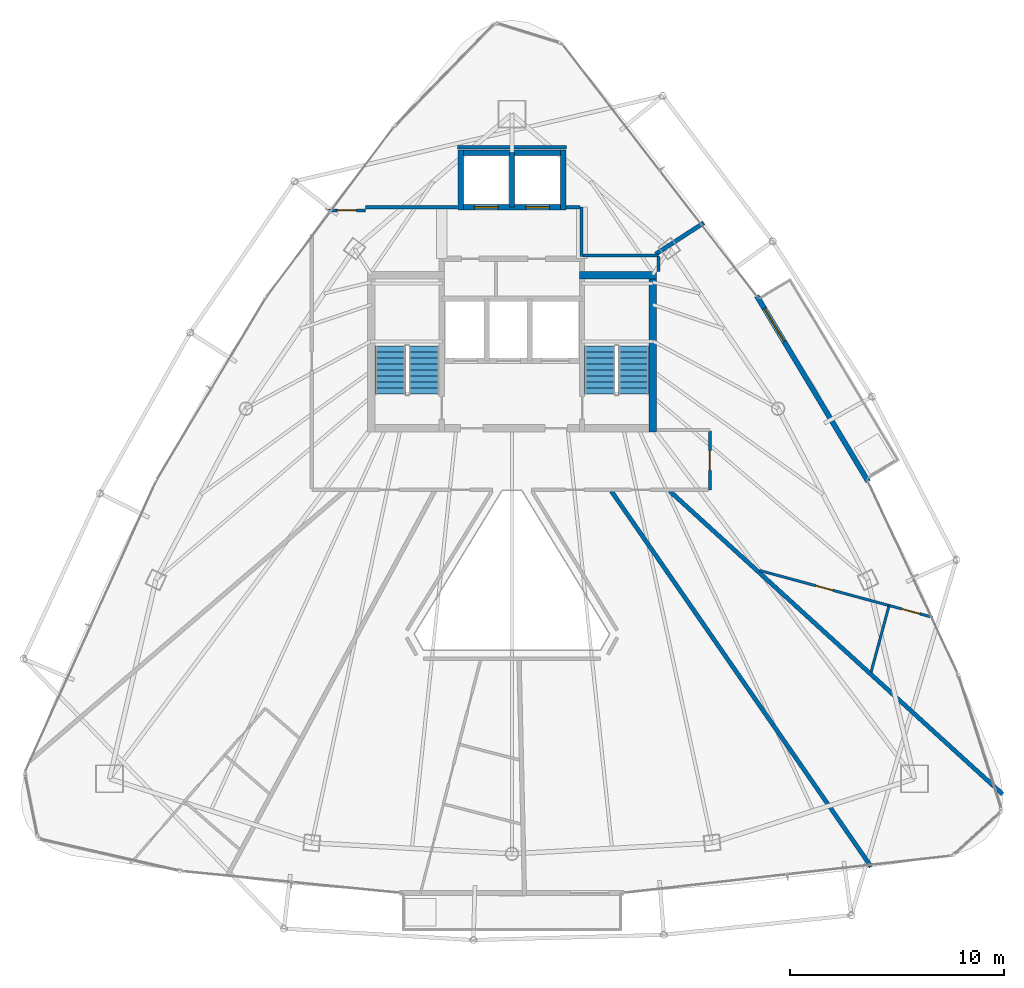
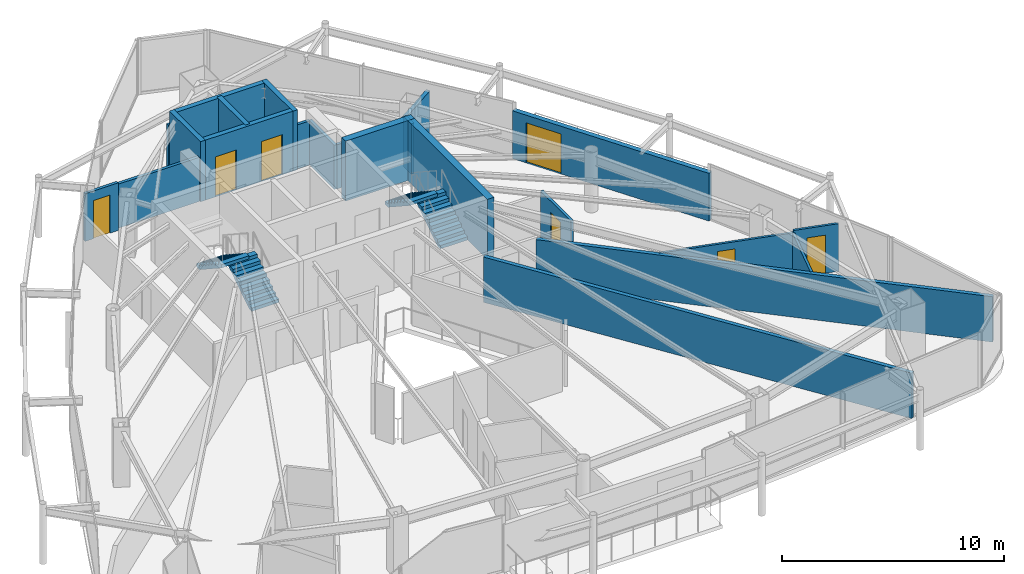
# One storey, part 27 of 30: 22 walls, 7 doors, 4 stair flights, 7 openings, 2 elements without a shape of their own.
"""IFC4 building model written with IfcOpenShell, lengths in metres."""

from ifc_helpers import new_model, si_unit, direction, frame, frame_2d, origin, place, context, subcontext, project, spatial, polyline, rectangle, outline, extrude, material, layer, layer_set, type_object, element, fill, aggregate, save


model = new_model("IFC4")

# Units and contexts
model_context = context("Model", 3, precision=1e-05, world=origin(), true_north=direction((0.0, 1.0)))
body_context = subcontext(model_context, "Body", "Model", "MODEL_VIEW")
ifc_project = project(units=[si_unit("LENGTHUNIT", "METRE"), si_unit("AREAUNIT", "SQUARE_METRE"), si_unit("VOLUMEUNIT", "CUBIC_METRE"), si_unit("PLANEANGLEUNIT", "RADIAN"), si_unit("MASSUNIT", "GRAM", prefix="KILO")], contexts=[model_context])

# Site, building, storey
site_placement = place(None, origin())
site = spatial("IfcSite", under=ifc_project, at=site_placement, CompositionType="ELEMENT")
building_placement = place(site_placement, origin())
building = spatial("IfcBuilding", under=site, at=building_placement, Name="Orvanel Arch Residences", CompositionType="ELEMENT")
storey_placement = place(building_placement, frame((0.0, 0.0, 229.39990234375)))
storey = spatial("IfcBuildingStorey", under=building, at=storey_placement, Name="L65", CompositionType="ELEMENT", Elevation=229.39990234375)

# Wall, opening, door
ifc_material_1 = material(Name="Precast concrete N50 (50 MPa)", Category="concrete")
ifc_layer_1 = layer(ifc_material_1, 0.239990234375)
ifc_layer_set_1 = layer_set([ifc_layer_1], Name="Precast concrete N50 (50 MPa)")
wall_type_1 = type_object("IfcWallType", Name="EW-BAL-240", PredefinedType="SOLIDWALL", material=ifc_layer_set_1)
wall_1_placement = place(storey_placement, frame((49.64794921875, 24.22412109375, 0.0), z_axis=(0.0, 0.0, 1.0), x_axis=(-0.514346935205, 0.857582200285, 0.0)))
wall_1 = element("IfcWall", 1, at=wall_1_placement, inside=storey, type_object=wall_type_1, Name="L65 Balcony Threshold Wall Face 3", PredefinedType="SOLIDWALL", context=body_context, shape_type="SweptSolid", body=[
    extrude(rectangle(XDim=10.133056640625, YDim=0.239990234375, at=frame_2d((5.06640625, 0.0))), origin(), (0.0, 0.0, 1.0), 2.6240234375),
])
opening_1_placement = place(wall_1_placement, frame((7.635009765625, 0.0, 0.0)))
opening_1 = element("IfcOpeningElement", 2, at=opening_1_placement, cuts=wall_1, Name="Opening DB-180", PredefinedType="OPENING", context=body_context, shape_type="SweptSolid", body=[
    extrude(rectangle(XDim=1.800048828125, YDim=2.199951171875, at=frame_2d((0.89990234375, 1.10009765625))), frame((0.0, 0.1298828125, 0.0), z_axis=(0.0, -1.0, 0.0), x_axis=(1.0, 0.0, 0.0)), (0.0, 0.0, 1.0), 0.260009765625),
])
ifc_material_2 = material(Name="Bronze-anodised aluminium AA6063-T6", Category="aluminium")
door_type_1 = type_object("IfcDoorType", Name="DR-BAL-1800", OperationType="NOTDEFINED", PredefinedType="DOOR", material=ifc_material_2)
door_1_placement = place(opening_1_placement, origin())
door_1 = element("IfcDoor", 3, at=door_1_placement, inside=storey, type_object=door_type_1, Name="DR-L65-BAL-F3 L65 Planted Balcony Access Door Face 3", OperationType="SINGLE_SWING_LEFT", OverallHeight=2.199951171875, OverallWidth=1.800048828125, PredefinedType="DOOR", context=body_context, shape_type="SweptSolid", body=[
    extrude(rectangle(XDim=1.800048828125, YDim=2.199951171875, at=frame_2d((0.89990234375, 1.10009765625))), frame((0.0, 0.02490234375, 0.0), z_axis=(0.0, -1.0, 0.0), x_axis=(1.0, 0.0, 0.0)), (0.0, 0.0, 1.0), 0.050048828125),
])
fill(opening_1, door_1)

# Wall, openings, doors
ifc_material_3 = material(Name="Concrete N50 (50 MPa)", Category="concrete")
ifc_layer_2 = layer(ifc_material_3, 0.25)
ifc_layer_set_2 = layer_set([ifc_layer_2], Name="Concrete N50 (50 MPa)")
wall_type_2 = type_object("IfcWallType", Name="SW-CORE-250", PredefinedType="SHEAR", material=ifc_layer_set_2)
wall_2_placement = place(storey_placement, frame((35.52490234375, 37.050048828125, 0.0), z_axis=(0.0, 0.0, 1.0), x_axis=(-1.0, 0.0, 0.0)))
wall_2 = element("IfcWall", 4, at=wall_2_placement, inside=storey, type_object=wall_type_2, Name="L65 Passenger Lift Bank Front Shear Wall", PredefinedType="SHEAR", context=body_context, shape_type="SweptSolid", body=[
    extrude(rectangle(XDim=5.0498046875, YDim=0.25, at=frame_2d((2.52490234375, 0.0))), origin(), (0.0, 0.0, 1.0), 3.300048828125),
])
opening_2_placement = place(wall_2_placement, frame((3.175048828125, 0.0, 0.0)))
opening_2 = element("IfcOpeningElement", 5, at=opening_2_placement, cuts=wall_2, Name="Opening LD-110", PredefinedType="OPENING", context=body_context, shape_type="SweptSolid", body=[
    extrude(rectangle(XDim=1.10009765625, YDim=2.199951171875, at=frame_2d((0.550048828125, 1.10009765625))), frame((0.0, 0.135009765625, 0.0), z_axis=(0.0, -1.0, 0.0), x_axis=(1.0, 0.0, 0.0)), (0.0, 0.0, 1.0), 0.27001953125),
])
opening_3_placement = place(wall_2_placement, frame((0.77490234375, 0.0, 0.0)))
opening_3 = element("IfcOpeningElement", 6, at=opening_3_placement, cuts=wall_2, Name="Opening LD-110", PredefinedType="OPENING", context=body_context, shape_type="SweptSolid", body=[
    extrude(rectangle(XDim=1.10009765625, YDim=2.199951171875, at=frame_2d((0.550048828125, 1.10009765625))), frame((0.0, 0.135009765625, 0.0), z_axis=(0.0, -1.0, 0.0), x_axis=(1.0, 0.0, 0.0)), (0.0, 0.0, 1.0), 0.27001953125),
])
ifc_material_4 = material(Name="Galvanised steel fire-resisting door assembly", Category="steel")
door_type_2 = type_object("IfcDoorType", Name="DR-LFT-1100", OperationType="NOTDEFINED", PredefinedType="DOOR", material=ifc_material_4)
door_2_placement = place(opening_2_placement, origin())
door_2 = element("IfcDoor", 7, at=door_2_placement, inside=storey, type_object=door_type_2, Name="LD-P5-L65 L65 Passenger Lift P5 Sliding Landing Door", OperationType="DOUBLE_DOOR_SLIDING", OverallHeight=2.199951171875, OverallWidth=1.10009765625, PredefinedType="DOOR", context=body_context, shape_type="SweptSolid", body=[
    extrude(rectangle(XDim=1.10009765625, YDim=2.199951171875, at=frame_2d((0.550048828125, 1.10009765625))), frame((0.0, 0.02490234375, 0.0), z_axis=(0.0, -1.0, 0.0), x_axis=(1.0, 0.0, 0.0)), (0.0, 0.0, 1.0), 0.050048828125),
])
fill(opening_2, door_2)
door_3_placement = place(opening_3_placement, origin())
door_3 = element("IfcDoor", 8, at=door_3_placement, inside=storey, type_object=door_type_2, Name="LD-P6-L65 L65 Passenger Lift P6 Sliding Landing Door", OperationType="DOUBLE_DOOR_SLIDING", OverallHeight=2.199951171875, OverallWidth=1.10009765625, PredefinedType="DOOR", context=body_context, shape_type="SweptSolid", body=[
    extrude(rectangle(XDim=1.10009765625, YDim=2.199951171875, at=frame_2d((0.550048828125, 1.10009765625))), frame((0.0, 0.02490234375, 0.0), z_axis=(0.0, -1.0, 0.0), x_axis=(1.0, 0.0, 0.0)), (0.0, 0.0, 1.0), 0.050048828125),
])
fill(opening_3, door_3)

# Walls
wall_3_placement = place(storey_placement, frame((30.47509765625, 39.60009765625, 0.0), z_axis=(0.0, 0.0, 1.0), x_axis=(1.0, 0.0, 0.0)))
element("IfcWall", 9, at=wall_3_placement, inside=storey, type_object=wall_type_2, Name="L65 Passenger Lift Bank North Shear Wall", PredefinedType="SHEAR", context=body_context, shape_type="SweptSolid", body=[
    extrude(rectangle(XDim=5.0498046875, YDim=0.25, at=frame_2d((2.52490234375, 0.0))), origin(), (0.0, 0.0, 1.0), 3.300048828125),
])
for number, where, z_axis, x_axis, name in (
    (10, (30.60009765625, 36.925048828125, 0.0), (0.0, 0.0, 1.0), (0.0, 1.0, 0.0), "L65 Passenger Lift Bank West Shear Wall"),
    (11, (35.39990234375, 36.925048828125, 0.0), (0.0, 0.0, 1.0), (0.0, 1.0, 0.0), "L65 Passenger Lift Bank East Shear Wall"),
):
    element("IfcWall", number, at=place(storey_placement, frame(where, z_axis=z_axis, x_axis=x_axis)), inside=storey, type_object=wall_type_2, Name=name, PredefinedType="SHEAR", context=body_context, shape_type="SweptSolid", body=[
        extrude(rectangle(XDim=2.800048828125, YDim=0.25, at=frame_2d((1.39990234375, 0.0))), origin(), (0.0, 0.0, 1.0), 3.300048828125),
    ])
wall_4_placement = place(storey_placement, frame((33.0, 37.050048828125, 0.0), z_axis=(0.0, 0.0, 1.0), x_axis=(0.0, 1.0, 0.0)))
element("IfcWall", 12, at=wall_4_placement, inside=storey, type_object=wall_type_2, Name="L65 Passenger Lift Inter-Shaft Wall P56", PredefinedType="SHEAR", context=body_context, shape_type="SweptSolid", body=[
    extrude(rectangle(XDim=2.550048828125, YDim=0.25, at=frame_2d((1.27490234375, 0.0))), origin(), (0.0, 0.0, 1.0), 3.300048828125),
])
ifc_layer_3 = layer(ifc_material_3, 0.35009765625)
ifc_layer_set_3 = layer_set([ifc_layer_3], Name="Concrete N50 (50 MPa)")
wall_type_3 = type_object("IfcWallType", Name="SW-CORE-350", PredefinedType="SHEAR", material=ifc_layer_set_3)
wall_5_placement = place(storey_placement, frame((39.574951171875, 26.550048828125, 0.0), z_axis=(0.0, 0.0, 1.0), x_axis=(0.0, 1.0, 0.0)))
element("IfcWall", 13, at=wall_5_placement, inside=storey, type_object=wall_type_3, Name="L65 East Stair Shear Wall", PredefinedType="SHEAR", context=body_context, shape_type="SweptSolid", body=[
    extrude(rectangle(XDim=7.5, YDim=0.35009765625, at=frame_2d((3.75, 0.0))), origin(), (0.0, 0.0, 1.0), 3.300048828125),
])
wall_6_placement = place(storey_placement, frame((36.14990234375, 33.875, 0.0), z_axis=(0.0, 0.0, 1.0), x_axis=(1.0, 0.0, 0.0)))
element("IfcWall", 14, at=wall_6_placement, inside=storey, type_object=wall_type_3, Name="L65 East Stair North Shear Wall", PredefinedType="SHEAR", context=body_context, shape_type="SweptSolid", body=[
    extrude(rectangle(XDim=3.60009765625, YDim=0.35009765625, at=frame_2d((1.800048828125, 0.0))), origin(), (0.0, 0.0, 1.0), 3.300048828125),
])
ifc_material_5 = material(Name="Fire-rated plasterboard lined steel stud partition", Category="steel")
ifc_layer_4 = layer(ifc_material_5, 0.14990234375)
ifc_layer_set_4 = layer_set([ifc_layer_4], Name="Fire-rated plasterboard lined steel stud partition")
wall_type_4 = type_object("IfcWallType", Name="W-COR-150", PredefinedType="PARTITIONING", material=ifc_layer_set_4)
wall_7_placement = place(storey_placement, frame((36.25, 34.760009765625, 0.0), z_axis=(0.0, 0.0, 1.0), x_axis=(0.0, 1.0, 0.0)))
element("IfcWall", 15, at=wall_7_placement, inside=storey, type_object=wall_type_4, Name="L65 Passenger Lift Lobby East Closure Wall", PredefinedType="PARTITIONING", context=body_context, shape_type="SweptSolid", body=[
    extrude(rectangle(XDim=2.2900390625, YDim=0.14990234375, at=frame_2d((1.14501953125, 0.0))), origin(), (0.0, 0.0, 1.0), 2.425048828125),
])
wall_8_placement = place(storey_placement, frame((35.52490234375, 37.050048828125, 0.0), z_axis=(0.0, 0.0, 1.0), x_axis=(1.0, 0.0, 0.0)))
element("IfcWall", 16, at=wall_8_placement, inside=storey, type_object=wall_type_4, Name="L65 Passenger Lift Lobby North-East Wall", PredefinedType="PARTITIONING", context=body_context, shape_type="SweptSolid", body=[
    extrude(rectangle(XDim=0.6650390625, YDim=0.14990234375, at=frame_2d((0.33251953125, 0.0))), origin(), (0.0, 0.0, 1.0), 2.425048828125),
])

# Wall, opening, door
wall_9_placement = place(storey_placement, frame((24.427001953125, 36.89990234375, 0.0), z_axis=(0.0, 0.0, 1.0), x_axis=(1.0, 0.0, 0.0)))
wall_9 = element("IfcWall", 17, at=wall_9_placement, inside=storey, type_object=wall_type_4, Name="L65 Corridor Fire-Rated Partition", PredefinedType="PARTITIONING", context=body_context, shape_type="SweptSolid", body=[
    extrude(rectangle(XDim=1.722900390625, YDim=0.14990234375, at=frame_2d((0.861328125, 0.0))), origin(), (0.0, 0.0, 1.0), 2.619140625),
])
opening_4_placement = place(wall_9_placement, frame((0.4208984375, 0.0, 0.0)))
opening_4 = element("IfcOpeningElement", 18, at=opening_4_placement, cuts=wall_9, Name="Opening DI-088", PredefinedType="OPENING", context=body_context, shape_type="SweptSolid", body=[
    extrude(rectangle(XDim=0.8798828125, YDim=2.10009765625, at=frame_2d((0.43994140625, 1.050048828125))), frame((0.0, 0.0849609375, 0.0), z_axis=(0.0, -1.0, 0.0), x_axis=(1.0, 0.0, 0.0)), (0.0, 0.0, 1.0), 0.169921875),
])
ifc_material_6 = material(Name="Solid-core European oak veneer fire door leaf", Category="wood")
door_type_3 = type_object("IfcDoorType", Name="DR-INT-880", OperationType="NOTDEFINED", PredefinedType="DOOR", material=ifc_material_6)
door_4_placement = place(opening_4_placement, origin())
door_4 = element("IfcDoor", 19, at=door_4_placement, inside=storey, type_object=door_type_3, Name="DR-L65-SHRD-FB7 L65 Co-Working Study Office G Door", OperationType="SINGLE_SWING_LEFT", OverallHeight=2.10009765625, OverallWidth=0.8798828125, PredefinedType="DOOR", context=body_context, shape_type="SweptSolid", body=[
    extrude(rectangle(XDim=0.8798828125, YDim=2.10009765625, at=frame_2d((0.43994140625, 1.050048828125))), frame((0.0, 0.02490234375, 0.0), z_axis=(0.0, -1.0, 0.0), x_axis=(1.0, 0.0, 0.0)), (0.0, 0.0, 1.0), 0.050048828125),
])
fill(opening_4, door_4)

wall_10_placement = place(storey_placement, frame((42.25, 26.590087890625, 0.0), z_axis=(0.0, 0.0, 1.0), x_axis=(0.0, -1.0, 0.0)))
wall_10 = element("IfcWall", 20, at=wall_10_placement, inside=storey, type_object=wall_type_4, Name="L65 Corridor Fire-Rated Partition", PredefinedType="PARTITIONING", context=body_context, shape_type="SweptSolid", body=[
    extrude(rectangle(XDim=2.739990234375, YDim=0.14990234375, at=frame_2d((1.3701171875, 0.0))), origin(), (0.0, 0.0, 1.0), 2.773193359375),
])
opening_5_placement = place(wall_10_placement, frame((0.909912109375, 0.0, 0.0)))
opening_5 = element("IfcOpeningElement", 21, at=opening_5_placement, cuts=wall_10, Name="Opening DA-092", PredefinedType="OPENING", context=body_context, shape_type="SweptSolid", body=[
    extrude(rectangle(XDim=0.919921875, YDim=2.14990234375, at=frame_2d((0.4599609375, 1.074951171875))), frame((0.0, 0.0849609375, 0.0), z_axis=(0.0, -1.0, 0.0), x_axis=(1.0, 0.0, 0.0)), (0.0, 0.0, 1.0), 0.169921875),
])
door_type_4 = type_object("IfcDoorType", Name="DR-APT-920", OperationType="NOTDEFINED", PredefinedType="DOOR", material=ifc_material_6)
door_5_placement = place(opening_5_placement, origin())
door_5 = element("IfcDoor", 22, at=door_5_placement, inside=storey, type_object=door_type_4, Name="DR-L65-C-ENT L65 Studio C Entrance Door", OperationType="SINGLE_SWING_RIGHT", OverallHeight=2.14990234375, OverallWidth=0.919921875, PredefinedType="DOOR", context=body_context, shape_type="SweptSolid", body=[
    extrude(rectangle(XDim=0.919921875, YDim=2.14990234375, at=frame_2d((0.4599609375, 1.074951171875))), frame((0.0, 0.02490234375, 0.0), z_axis=(0.0, -1.0, 0.0), x_axis=(1.0, 0.0, 0.0)), (0.0, 0.0, 1.0), 0.050048828125),
])
fill(opening_5, door_5)

# Walls
wall_11_placement = place(storey_placement, frame((26.14990234375, 37.050048828125, 0.0), z_axis=(0.0, 0.0, 1.0), x_axis=(1.0, 0.0, 0.0)))
element("IfcWall", 23, at=wall_11_placement, inside=storey, type_object=wall_type_4, Name="L65 Core Perimeter Partition", PredefinedType="PARTITIONING", context=body_context, shape_type="SweptSolid", body=[
    extrude(rectangle(XDim=4.300048828125, YDim=0.14990234375, at=frame_2d((2.14990234375, 0.0))), origin(), (0.0, 0.0, 1.0), 2.425048828125),
])
wall_12_placement = place(storey_placement, frame((30.449951171875, 39.85009765625, 0.0), z_axis=(0.0, 0.0, 1.0), x_axis=(1.0, 0.0, 0.0)))
element("IfcWall", 24, at=wall_12_placement, inside=storey, type_object=wall_type_4, Name="L65 Core Perimeter Partition", PredefinedType="PARTITIONING", context=body_context, shape_type="SweptSolid", body=[
    extrude(rectangle(XDim=5.10009765625, YDim=0.14990234375, at=frame_2d((2.550048828125, 0.0))), origin(), (0.0, 0.0, 1.0), 2.4921875),
])
wall_13_placement = place(storey_placement, frame((36.31005859375, 34.800048828125, 0.0), z_axis=(0.0, 0.0, 1.0), x_axis=(1.0, 0.0, 0.0)))
element("IfcWall", 25, at=wall_13_placement, inside=storey, type_object=wall_type_4, Name="L65 Core Perimeter Partition", PredefinedType="PARTITIONING", context=body_context, shape_type="SweptSolid", body=[
    extrude(rectangle(XDim=3.5400390625, YDim=0.14990234375, at=frame_2d((1.77001953125, 0.0))), origin(), (0.0, 0.0, 1.0), 2.425048828125),
])
wall_14_placement = place(storey_placement, frame((39.85009765625, 34.739990234375, 0.0), z_axis=(0.0, 0.0, 1.0), x_axis=(0.0, -1.0, 0.0)))
element("IfcWall", 26, at=wall_14_placement, inside=storey, type_object=wall_type_4, Name="L65 Core Perimeter Partition", PredefinedType="PARTITIONING", context=body_context, shape_type="SweptSolid", body=[
    extrude(rectangle(XDim=0.68994140625, YDim=0.14990234375, at=frame_2d((0.344970703125, 0.0))), origin(), (0.0, 0.0, 1.0), 2.773193359375),
])
ifc_layer_5 = layer(ifc_material_5, 0.199951171875)
ifc_layer_set_5 = layer_set([ifc_layer_5], Name="Fire-rated plasterboard lined steel stud partition")
wall_type_5 = type_object("IfcWallType", Name="W-DEM-200", PredefinedType="PARTITIONING", material=ifc_layer_set_5)
wall_15_placement = place(storey_placement, frame((37.64111328125, 23.7900390625, 0.0), z_axis=(0.0, 0.0, 1.0), x_axis=(0.568876812748, -0.822422745258, 0.0)))
element("IfcWall", 27, at=wall_15_placement, inside=storey, type_object=wall_type_5, Name="L65 Inter-Tenancy Acoustic Demising Wall", PredefinedType="PARTITIONING", context=body_context, shape_type="SweptSolid", body=[
    extrude(rectangle(XDim=21.341796875, YDim=0.199951171875, at=frame_2d((10.6708984375, 0.0))), origin(), (0.0, 0.0, 1.0), 2.4921875),
])
wall_16_placement = place(storey_placement, frame((55.9189453125, 9.631103515625, 0.0), z_axis=(0.0, 0.0, 1.0), x_axis=(-0.739406671307, 0.673259069324, 0.0)))
element("IfcWall", 28, at=wall_16_placement, inside=storey, type_object=wall_type_5, Name="L65 Inter-Tenancy Acoustic Demising Wall", PredefinedType="PARTITIONING", context=body_context, shape_type="SweptSolid", body=[
    extrude(rectangle(XDim=21.030517578125, YDim=0.199951171875, at=frame_2d((10.51513671875, 0.0))), origin(), (0.0, 0.0, 1.0), 2.4921875),
])
wall_17_placement = place(storey_placement, frame((39.714111328125, 34.860107421875, 0.0), z_axis=(0.0, 0.0, 1.0), x_axis=(0.838740992226, 0.54453057578, 0.0)))
element("IfcWall", 29, at=wall_17_placement, inside=storey, type_object=wall_type_5, Name="L65 Inter-Tenancy Acoustic Demising Wall", PredefinedType="PARTITIONING", context=body_context, shape_type="SweptSolid", body=[
    extrude(rectangle(XDim=2.68115234375, YDim=0.199951171875, at=frame_2d((1.340576171875, 0.0))), origin(), (0.0, 0.0, 1.0), 2.4921875),
])

# Wall, opening, door
ifc_material_7 = material(Name="Acoustic plasterboard lined twin-stud partition", Category="gypsum")
ifc_layer_6 = layer(ifc_material_7, 0.1201171875)
ifc_layer_set_6 = layer_set([ifc_layer_6], Name="Acoustic plasterboard lined twin-stud partition")
wall_type_6 = type_object("IfcWallType", Name="W-WET-120", PredefinedType="PARTITIONING", material=ifc_layer_set_6)
wall_18_placement = place(storey_placement, frame((50.617919921875, 18.444091796875, 0.0), z_axis=(0.0, 0.0, 1.0), x_axis=(-0.96530580675, 0.261122001091, 0.0)))
wall_18 = element("IfcWall", 30, at=wall_18_placement, inside=storey, type_object=wall_type_6, Name="L65 Studio C Bathroom Partition", PredefinedType="PARTITIONING", context=body_context, shape_type="SweptSolid", body=[
    extrude(rectangle(XDim=6.26513671875, YDim=0.1201171875, at=frame_2d((3.132568359375, 0.0))), origin(), (0.0, 0.0, 1.0), 2.4921875),
])
opening_6_placement = place(wall_18_placement, frame((2.722900390625, 0.0, 0.0)))
opening_6 = element("IfcOpeningElement", 31, at=opening_6_placement, cuts=wall_18, Name="Opening DW-082", PredefinedType="OPENING", context=body_context, shape_type="SweptSolid", body=[
    extrude(rectangle(XDim=0.820068359375, YDim=2.10009765625, at=frame_2d((0.41015625, 1.050048828125))), frame((0.0, 0.070068359375, 0.0), z_axis=(0.0, -1.0, 0.0), x_axis=(1.0, 0.0, 0.0)), (0.0, 0.0, 1.0), 0.14013671875),
])
door_type_5 = type_object("IfcDoorType", Name="DR-WET-820", OperationType="NOTDEFINED", PredefinedType="DOOR", material=ifc_material_6)
door_6_placement = place(opening_6_placement, origin())
door_6 = element("IfcDoor", 32, at=door_6_placement, inside=storey, type_object=door_type_5, Name="DR-L65-C-BATH L65 Studio C Bathroom Door", OperationType="SINGLE_SWING_RIGHT", OverallHeight=2.10009765625, OverallWidth=0.820068359375, PredefinedType="DOOR", context=body_context, shape_type="SweptSolid", body=[
    extrude(rectangle(XDim=0.820068359375, YDim=2.10009765625, at=frame_2d((0.41015625, 1.050048828125))), frame((0.0, 0.02490234375, 0.0), z_axis=(0.0, -1.0, 0.0), x_axis=(1.0, 0.0, 0.0)), (0.0, 0.0, 1.0), 0.050048828125),
])
fill(opening_6, door_6)

wall_19_placement = place(storey_placement, frame((52.65087890625, 17.89501953125, 0.0), z_axis=(0.0, 0.0, 1.0), x_axis=(-0.96540836449, 0.260742573765, 0.0)))
wall_19 = element("IfcWall", 33, at=wall_19_placement, inside=storey, type_object=wall_type_6, Name="L65 Studio C Internal Partition", PredefinedType="PARTITIONING", context=body_context, shape_type="SweptSolid", body=[
    extrude(rectangle(XDim=2.105712890625, YDim=0.1201171875, at=frame_2d((1.052734375, 0.0))), origin(), (0.0, 0.0, 1.0), 2.619140625),
])
opening_7_placement = place(wall_19_placement, frame((0.613037109375, 0.0, 0.0)))
opening_7 = element("IfcOpeningElement", 34, at=opening_7_placement, cuts=wall_19, Name="Opening DI-088", PredefinedType="OPENING", context=body_context, shape_type="SweptSolid", body=[
    extrude(rectangle(XDim=0.8798828125, YDim=2.10009765625, at=frame_2d((0.43994140625, 1.050048828125))), frame((0.0, 0.070068359375, 0.0), z_axis=(0.0, -1.0, 0.0), x_axis=(1.0, 0.0, 0.0)), (0.0, 0.0, 1.0), 0.14013671875),
])
door_7_placement = place(opening_7_placement, origin())
door_7 = element("IfcDoor", 35, at=door_7_placement, inside=storey, type_object=door_type_3, Name="DR-L65-C-KIT L65 Studio C Kitchenette Door", OperationType="SINGLE_SWING_LEFT", OverallHeight=2.10009765625, OverallWidth=0.8798828125, PredefinedType="DOOR", context=body_context, shape_type="SweptSolid", body=[
    extrude(rectangle(XDim=0.8798828125, YDim=2.10009765625, at=frame_2d((0.43994140625, 1.050048828125))), frame((0.0, 0.02490234375, 0.0), z_axis=(0.0, -1.0, 0.0), x_axis=(1.0, 0.0, 0.0)), (0.0, 0.0, 1.0), 0.050048828125),
])
fill(opening_7, door_7)

# Wall
wall_20_placement = place(storey_placement, frame((50.617919921875, 18.444091796875, 0.0), z_axis=(0.0, 0.0, 1.0), x_axis=(-0.260928129887, -0.965358229381, 0.0)))
element("IfcWall", 36, at=wall_20_placement, inside=storey, type_object=wall_type_6, Name="L65 Studio C Bathroom Partition", PredefinedType="PARTITIONING", context=body_context, shape_type="SweptSolid", body=[
    extrude(rectangle(XDim=3.21875, YDim=0.1201171875, at=frame_2d((1.609375, 0.0))), origin(), (0.0, 0.0, 1.0), 2.4921875),
])

# Stair, stair flights
stair_type = type_object("IfcStairType", Name="STR-DOG-184", PredefinedType="USERDEFINED", material=ifc_material_1)
stair_1_placement = place(storey_placement, origin())
stair_1 = element("IfcStair", 37, at=stair_1_placement, inside=storey, type_object=stair_type, Name="L65 Fire-Isolated Core Exit Stair 1", ObjectType="TWO_RETURN_STAIR", PredefinedType="USERDEFINED")
stair_flight_type_1 = type_object("IfcStairFlightType", Name="SFL-C1-184", PredefinedType="STRAIGHT", material=ifc_material_1)
stair_flight_1_placement = place(storey_placement, frame((28.889892578125, 28.320068359375, 0.0), z_axis=(0.0, 0.0, 1.0), x_axis=(0.0, 1.0, 0.0)))
stair_flight_1 = element("IfcStairFlight", 38, at=stair_flight_1_placement, type_object=stair_flight_type_1, Name="ST-1 flight 1", NumberOfRisers=9, NumberOfTreads=8, PredefinedType="STRAIGHT", RiserHeight=0.183333333, TreadLength=0.28, context=body_context, shape_type="SweptSolid", body=[
    extrude(outline(polyline([(0.0, 0.0), (0.0, 0.183349609375), (0.280029296875, 0.183349609375), (0.280029296875, 0.36669921875), (0.56005859375, 0.36669921875), (0.56005859375, 0.550048828125), (0.840087890625, 0.550048828125), (0.840087890625, 0.7333984375), (1.1201171875, 0.7333984375), (1.1201171875, 0.916748046875), (1.39990234375, 0.916748046875), (1.39990234375, 1.10009765625), (1.679931640625, 1.10009765625), (1.679931640625, 1.283447265625), (1.9599609375, 1.283447265625), (1.9599609375, 1.466552734375), (2.239990234375, 1.466552734375), (2.239990234375, 1.64990234375), (2.239990234375, 1.28759765625), (0.273681640625, 0.0), (0.0, 0.0)])), frame((0.0, 0.7099609375, 0.0), z_axis=(0.0, -1.0, 0.0), x_axis=(1.0, 0.0, 0.0)), (0.0, 0.0, 1.0), 1.419921875),
])
stair_flight_2_placement = place(storey_placement, frame((27.31005859375, 30.56005859375, 1.650146484375), z_axis=(0.0, 0.0, 1.0), x_axis=(0.0, -1.0, 0.0)))
stair_flight_2 = element("IfcStairFlight", 39, at=stair_flight_2_placement, type_object=stair_flight_type_1, Name="ST-1 flight 2", NumberOfRisers=9, NumberOfTreads=8, PredefinedType="STRAIGHT", RiserHeight=0.183333333, TreadLength=0.28, context=body_context, shape_type="SweptSolid", body=[
    extrude(outline(polyline([(0.0, 0.0), (0.0, 0.183349609375), (0.280029296875, 0.183349609375), (0.280029296875, 0.36669921875), (0.56005859375, 0.36669921875), (0.56005859375, 0.550048828125), (0.840087890625, 0.550048828125), (0.840087890625, 0.7333984375), (1.1201171875, 0.7333984375), (1.1201171875, 0.916748046875), (1.39990234375, 0.916748046875), (1.39990234375, 1.10009765625), (1.679931640625, 1.10009765625), (1.679931640625, 1.283447265625), (1.9599609375, 1.283447265625), (1.9599609375, 1.466552734375), (2.239990234375, 1.466552734375), (2.239990234375, 1.64990234375), (2.239990234375, 1.28759765625), (0.273681640625, 0.0), (0.0, 0.0)])), frame((0.0, 0.7099609375, 0.0), z_axis=(0.0, -1.0, 0.0), x_axis=(1.0, 0.0, 0.0)), (0.0, 0.0, 1.0), 1.419921875),
])
aggregate(stair_1, [stair_flight_1, stair_flight_2])

stair_2_placement = place(storey_placement, origin())
stair_2 = element("IfcStair", 40, at=stair_2_placement, inside=storey, type_object=stair_type, Name="L65 Fire-Isolated Core Exit Stair 2", ObjectType="TWO_RETURN_STAIR", PredefinedType="USERDEFINED")
stair_flight_type_2 = type_object("IfcStairFlightType", Name="SFL-C2-184", PredefinedType="STRAIGHT", material=ifc_material_1)
stair_flight_3_placement = place(storey_placement, frame((38.68994140625, 28.320068359375, 0.0), z_axis=(0.0, 0.0, 1.0), x_axis=(0.0, 1.0, 0.0)))
stair_flight_3 = element("IfcStairFlight", 41, at=stair_flight_3_placement, type_object=stair_flight_type_2, Name="ST-2 flight 1", NumberOfRisers=9, NumberOfTreads=8, PredefinedType="STRAIGHT", RiserHeight=0.183333333, TreadLength=0.28, context=body_context, shape_type="SweptSolid", body=[
    extrude(outline(polyline([(0.0, 0.0), (0.0, 0.183349609375), (0.280029296875, 0.183349609375), (0.280029296875, 0.36669921875), (0.56005859375, 0.36669921875), (0.56005859375, 0.550048828125), (0.840087890625, 0.550048828125), (0.840087890625, 0.7333984375), (1.1201171875, 0.7333984375), (1.1201171875, 0.916748046875), (1.39990234375, 0.916748046875), (1.39990234375, 1.10009765625), (1.679931640625, 1.10009765625), (1.679931640625, 1.283447265625), (1.9599609375, 1.283447265625), (1.9599609375, 1.466552734375), (2.239990234375, 1.466552734375), (2.239990234375, 1.64990234375), (2.239990234375, 1.28759765625), (0.273681640625, 0.0), (0.0, 0.0)])), frame((0.0, 0.7099609375, 0.0), z_axis=(0.0, -1.0, 0.0), x_axis=(1.0, 0.0, 0.0)), (0.0, 0.0, 1.0), 1.419921875),
])
stair_flight_4_placement = place(storey_placement, frame((37.110107421875, 30.56005859375, 1.650146484375), z_axis=(0.0, 0.0, 1.0), x_axis=(0.0, -1.0, 0.0)))
stair_flight_4 = element("IfcStairFlight", 42, at=stair_flight_4_placement, type_object=stair_flight_type_2, Name="ST-2 flight 2", NumberOfRisers=9, NumberOfTreads=8, PredefinedType="STRAIGHT", RiserHeight=0.183333333, TreadLength=0.28, context=body_context, shape_type="SweptSolid", body=[
    extrude(outline(polyline([(0.0, 0.0), (0.0, 0.183349609375), (0.280029296875, 0.183349609375), (0.280029296875, 0.36669921875), (0.56005859375, 0.36669921875), (0.56005859375, 0.550048828125), (0.840087890625, 0.550048828125), (0.840087890625, 0.7333984375), (1.1201171875, 0.7333984375), (1.1201171875, 0.916748046875), (1.39990234375, 0.916748046875), (1.39990234375, 1.10009765625), (1.679931640625, 1.10009765625), (1.679931640625, 1.283447265625), (1.9599609375, 1.283447265625), (1.9599609375, 1.466552734375), (2.239990234375, 1.466552734375), (2.239990234375, 1.64990234375), (2.239990234375, 1.28759765625), (0.273681640625, 0.0), (0.0, 0.0)])), frame((0.0, 0.7099609375, 0.0), z_axis=(0.0, -1.0, 0.0), x_axis=(1.0, 0.0, 0.0)), (0.0, 0.0, 1.0), 1.419921875),
])
aggregate(stair_2, [stair_flight_3, stair_flight_4])

save(model, "model.ifc")
